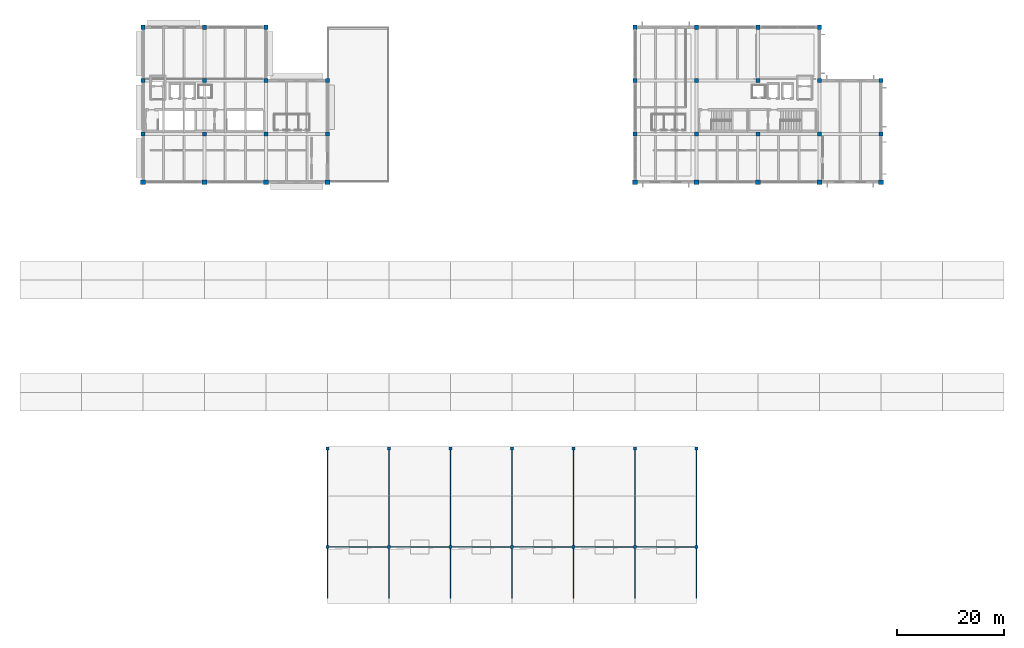
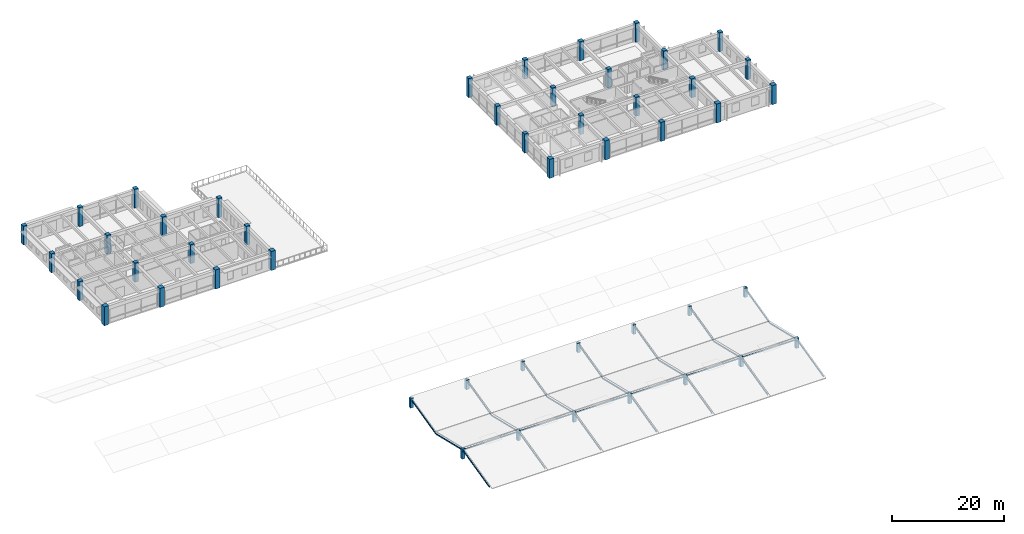
# One storey, part 1 of 33: 48 columns, 27 members.
"""IFC4 building model written with IfcOpenShell, lengths in metres."""

from ifc_helpers import new_model, si_unit, direction, frame, origin, origin_2d, place, context, subcontext, project, spatial, rectangle, hollow_rectangle, extrude, material, material_profile, profile_set, type_object, element, save


model = new_model("IFC4")

# Units and contexts
model_context = context("Model", 3, precision=1e-05, world=origin(), true_north=direction((0.0, 1.0)))
body_context = subcontext(model_context, "Body", "Model", "MODEL_VIEW")
ifc_project = project(units=[si_unit("LENGTHUNIT", "METRE"), si_unit("AREAUNIT", "SQUARE_METRE"), si_unit("VOLUMEUNIT", "CUBIC_METRE"), si_unit("PLANEANGLEUNIT", "RADIAN"), si_unit("MASSUNIT", "GRAM", prefix="KILO")], contexts=[model_context])

# Site, building, storey
site_placement = place(None, origin())
site = spatial("IfcSite", under=ifc_project, at=site_placement, CompositionType="ELEMENT")
building_placement = place(site_placement, origin())
building = spatial("IfcBuilding", under=site, at=building_placement, Name="Ologun Quay Terminus", CompositionType="ELEMENT")
storey_placement = place(building_placement, frame((0.0, 0.0, 18.300048828125)))
storey = spatial("IfcBuildingStorey", under=building, at=storey_placement, Name="L04", CompositionType="ELEMENT", Elevation=18.300048828125)

# Columns
ifc_material_1 = material(Name="Concrete C45/55", Category="concrete")
ifc_material_profile_1 = material_profile(ifc_material_1, rectangle(XDim=0.89990234375, YDim=0.89990234375, at=origin_2d()), Name="RC 900x900")
ifc_profile_set_1 = profile_set([ifc_material_profile_1], Name="Concrete C45/55")
column_type_1 = type_object("IfcColumnType", Name="Courtyard Wing Mid Column 900x900", PredefinedType="COLUMN", material=ifc_profile_set_1)
for number, where, z_axis, x_axis, name in (
    (1, (23.0, 85.800048828125, 0.0), (0.0, 0.0, 1.0), (1.0, 0.0, 0.0), "C3 Column 3/G2 L04"),
    (2, (34.5, 85.800048828125, 0.0), (0.0, 0.0, 1.0), (1.0, 0.0, 0.0), "C3 Column 4/G2 L04"),
    (3, (46.0, 85.800048828125, 0.0), (0.0, 0.0, 1.0), (1.0, 0.0, 0.0), "C3 Column 5/G2 L04"),
    (4, (57.5, 85.800048828125, 0.0), (0.0, 0.0, 1.0), (1.0, 0.0, 0.0), "C3 Column 6/G2 L04"),
    (5, (115.0, 85.800048828125, 0.0), (0.0, 0.0, 1.0), (1.0, 0.0, 0.0), "C3 Column 11/G2 L04"),
    (6, (126.5, 85.800048828125, 0.0), (0.0, 0.0, 1.0), (1.0, 0.0, 0.0), "C3 Column 12/G2 L04"),
    (7, (138.0, 85.800048828125, 0.0), (0.0, 0.0, 1.0), (1.0, 0.0, 0.0), "C3 Column 13/G2 L04"),
    (8, (149.5, 85.800048828125, 0.0), (0.0, 0.0, 1.0), (1.0, 0.0, 0.0), "C3 Column 14/G2 L04"),
    (9, (161.0, 85.800048828125, 0.0), (0.0, 0.0, 1.0), (1.0, 0.0, 0.0), "C3 Column 15/G2 L04"),
):
    element("IfcColumn", number, at=place(storey_placement, frame(where, z_axis=z_axis, x_axis=x_axis)), inside=storey, type_object=column_type_1, Name=name, PredefinedType="COLUMN", context=body_context, shape_type="SweptSolid", body=[
        extrude(rectangle(XDim=0.89990234375, YDim=0.89990234375, at=origin_2d()), origin(), (0.0, 0.0, 1.0), 4.159912109375),
    ])
ifc_material_2 = material(Name="Concrete C40/50", Category="concrete")
ifc_material_profile_2 = material_profile(ifc_material_2, rectangle(XDim=0.800048828125, YDim=0.800048828125, at=origin_2d()), Name="RC 800x800")
ifc_profile_set_2 = profile_set([ifc_material_profile_2], Name="Concrete C40/50")
column_type_2 = type_object("IfcColumnType", Name="Courtyard Wing Upper Column 800x800", PredefinedType="COLUMN", material=ifc_profile_set_2)
for number, where, z_axis, x_axis, name in (
    (10, (23.0, 94.800048828125, 0.0), (0.0, 0.0, 1.0), (1.0, 0.0, 0.0), "C4 Column 3/H L04"),
    (11, (23.0, 104.800048828125, 0.0), (0.0, 0.0, 1.0), (1.0, 0.0, 0.0), "C4 Column 3/J L04"),
    (12, (23.0, 114.800048828125, 0.0), (0.0, 0.0, 1.0), (1.0, 0.0, 0.0), "C4 Column 3/K L04"),
    (13, (34.5, 94.800048828125, 0.0), (0.0, 0.0, 1.0), (1.0, 0.0, 0.0), "C4 Column 4/H L04"),
    (14, (34.5, 104.800048828125, 0.0), (0.0, 0.0, 1.0), (1.0, 0.0, 0.0), "C4 Column 4/J L04"),
    (15, (34.5, 114.800048828125, 0.0), (0.0, 0.0, 1.0), (1.0, 0.0, 0.0), "C4 Column 4/K L04"),
    (16, (46.0, 94.800048828125, 0.0), (0.0, 0.0, 1.0), (1.0, 0.0, 0.0), "C4 Column 5/H L04"),
    (17, (46.0, 104.800048828125, 0.0), (0.0, 0.0, 1.0), (1.0, 0.0, 0.0), "C4 Column 5/J L04"),
    (18, (46.0, 114.800048828125, 0.0), (0.0, 0.0, 1.0), (1.0, 0.0, 0.0), "C4 Column 5/K L04"),
    (19, (57.5, 94.800048828125, 0.0), (0.0, 0.0, 1.0), (1.0, 0.0, 0.0), "C4 Column 6/H L04"),
    (20, (57.5, 104.800048828125, 0.0), (0.0, 0.0, 1.0), (1.0, 0.0, 0.0), "C4 Column 6/J L04"),
    (21, (115.0, 94.800048828125, 0.0), (0.0, 0.0, 1.0), (1.0, 0.0, 0.0), "C4 Column 11/H L04"),
    (22, (115.0, 104.800048828125, 0.0), (0.0, 0.0, 1.0), (1.0, 0.0, 0.0), "C4 Column 11/J L04"),
    (23, (115.0, 114.800048828125, 0.0), (0.0, 0.0, 1.0), (1.0, 0.0, 0.0), "C4 Column 11/K L04"),
    (24, (126.5, 94.800048828125, 0.0), (0.0, 0.0, 1.0), (1.0, 0.0, 0.0), "C4 Column 12/H L04"),
    (25, (126.5, 104.800048828125, 0.0), (0.0, 0.0, 1.0), (1.0, 0.0, 0.0), "C4 Column 12/J L04"),
    (26, (126.5, 114.800048828125, 0.0), (0.0, 0.0, 1.0), (1.0, 0.0, 0.0), "C4 Column 12/K L04"),
    (27, (138.0, 94.800048828125, 0.0), (0.0, 0.0, 1.0), (1.0, 0.0, 0.0), "C4 Column 13/H L04"),
    (28, (138.0, 104.800048828125, 0.0), (0.0, 0.0, 1.0), (1.0, 0.0, 0.0), "C4 Column 13/J L04"),
    (29, (138.0, 114.800048828125, 0.0), (0.0, 0.0, 1.0), (1.0, 0.0, 0.0), "C4 Column 13/K L04"),
    (30, (149.5, 94.800048828125, 0.0), (0.0, 0.0, 1.0), (1.0, 0.0, 0.0), "C4 Column 14/H L04"),
    (31, (149.5, 104.800048828125, 0.0), (0.0, 0.0, 1.0), (1.0, 0.0, 0.0), "C4 Column 14/J L04"),
    (32, (149.5, 114.800048828125, 0.0), (0.0, 0.0, 1.0), (1.0, 0.0, 0.0), "C4 Column 14/K L04"),
    (33, (161.0, 94.800048828125, 0.0), (0.0, 0.0, 1.0), (1.0, 0.0, 0.0), "C4 Column 15/H L04"),
    (34, (161.0, 104.800048828125, 0.0), (0.0, 0.0, 1.0), (1.0, 0.0, 0.0), "C4 Column 15/J L04"),
):
    element("IfcColumn", number, at=place(storey_placement, frame(where, z_axis=z_axis, x_axis=x_axis)), inside=storey, type_object=column_type_2, Name=name, PredefinedType="COLUMN", context=body_context, shape_type="SweptSolid", body=[
        extrude(rectangle(XDim=0.800048828125, YDim=0.800048828125, at=origin_2d()), origin(), (0.0, 0.0, 1.0), 4.159912109375),
    ])
ifc_material_3 = material(Name="Concrete C40/50", Category="concrete")
ifc_material_profile_3 = material_profile(ifc_material_3, rectangle(XDim=0.60009765625, YDim=0.60009765625, at=origin_2d()), Name="RC 600x600")
ifc_profile_set_3 = profile_set([ifc_material_profile_3], Name="Concrete C40/50")
column_type_3 = type_object("IfcColumnType", Name="Podium Retail Column 600x600", PredefinedType="COLUMN", material=ifc_profile_set_3)
column_1_placement = place(storey_placement, frame((57.5, 17.60009765625, 0.0), z_axis=(0.0, 0.0, 1.0), x_axis=(1.0, 0.0, 0.0)))
element("IfcColumn", 35, at=column_1_placement, inside=storey, type_object=column_type_3, Name="C7 Roof Ridge Stub L04-SPAV-6-BCB", PredefinedType="COLUMN", context=body_context, shape_type="SweptSolid", body=[
    extrude(rectangle(XDim=0.60009765625, YDim=0.60009765625, at=origin_2d()), origin(), (0.0, 0.0, 1.0), 2.179931640625),
])
column_2_placement = place(storey_placement, frame((57.5, 36.0, 0.0), z_axis=(0.0, 0.0, 1.0), x_axis=(1.0, 0.0, 0.0)))
element("IfcColumn", 36, at=column_2_placement, inside=storey, type_object=column_type_3, Name="C7 Roof Ridge Stub L04-SPAV-6-DEB", PredefinedType="COLUMN", context=body_context, shape_type="SweptSolid", body=[
    extrude(rectangle(XDim=0.60009765625, YDim=0.60009765625, at=origin_2d()), origin(), (0.0, 0.0, 1.0), 2.030029296875),
])
column_3_placement = place(storey_placement, frame((69.0, 17.60009765625, 0.0), z_axis=(0.0, 0.0, 1.0), x_axis=(1.0, 0.0, 0.0)))
element("IfcColumn", 37, at=column_3_placement, inside=storey, type_object=column_type_3, Name="C7 Roof Ridge Stub L04-SPAV-7-BCB", PredefinedType="COLUMN", context=body_context, shape_type="SweptSolid", body=[
    extrude(rectangle(XDim=0.60009765625, YDim=0.60009765625, at=origin_2d()), origin(), (0.0, 0.0, 1.0), 2.179931640625),
])
column_4_placement = place(storey_placement, frame((69.0, 36.0, 0.0), z_axis=(0.0, 0.0, 1.0), x_axis=(1.0, 0.0, 0.0)))
element("IfcColumn", 38, at=column_4_placement, inside=storey, type_object=column_type_3, Name="C7 Roof Ridge Stub L04-SPAV-7-DEB", PredefinedType="COLUMN", context=body_context, shape_type="SweptSolid", body=[
    extrude(rectangle(XDim=0.60009765625, YDim=0.60009765625, at=origin_2d()), origin(), (0.0, 0.0, 1.0), 2.030029296875),
])
column_5_placement = place(storey_placement, frame((80.5, 17.60009765625, 0.0), z_axis=(0.0, 0.0, 1.0), x_axis=(1.0, 0.0, 0.0)))
element("IfcColumn", 39, at=column_5_placement, inside=storey, type_object=column_type_3, Name="C7 Roof Ridge Stub L04-SPAV-8-BCB", PredefinedType="COLUMN", context=body_context, shape_type="SweptSolid", body=[
    extrude(rectangle(XDim=0.60009765625, YDim=0.60009765625, at=origin_2d()), origin(), (0.0, 0.0, 1.0), 2.179931640625),
])
column_6_placement = place(storey_placement, frame((80.5, 36.0, 0.0), z_axis=(0.0, 0.0, 1.0), x_axis=(1.0, 0.0, 0.0)))
element("IfcColumn", 40, at=column_6_placement, inside=storey, type_object=column_type_3, Name="C7 Roof Ridge Stub L04-SPAV-8-DEB", PredefinedType="COLUMN", context=body_context, shape_type="SweptSolid", body=[
    extrude(rectangle(XDim=0.60009765625, YDim=0.60009765625, at=origin_2d()), origin(), (0.0, 0.0, 1.0), 2.030029296875),
])
column_7_placement = place(storey_placement, frame((92.0, 17.60009765625, 0.0), z_axis=(0.0, 0.0, 1.0), x_axis=(1.0, 0.0, 0.0)))
element("IfcColumn", 41, at=column_7_placement, inside=storey, type_object=column_type_3, Name="C7 Roof Ridge Stub L04-SPAV-9-BCB", PredefinedType="COLUMN", context=body_context, shape_type="SweptSolid", body=[
    extrude(rectangle(XDim=0.60009765625, YDim=0.60009765625, at=origin_2d()), origin(), (0.0, 0.0, 1.0), 2.179931640625),
])
column_8_placement = place(storey_placement, frame((92.0, 36.0, 0.0), z_axis=(0.0, 0.0, 1.0), x_axis=(1.0, 0.0, 0.0)))
element("IfcColumn", 42, at=column_8_placement, inside=storey, type_object=column_type_3, Name="C7 Roof Ridge Stub L04-SPAV-9-DEB", PredefinedType="COLUMN", context=body_context, shape_type="SweptSolid", body=[
    extrude(rectangle(XDim=0.60009765625, YDim=0.60009765625, at=origin_2d()), origin(), (0.0, 0.0, 1.0), 2.030029296875),
])
column_9_placement = place(storey_placement, frame((103.5, 17.60009765625, 0.0), z_axis=(0.0, 0.0, 1.0), x_axis=(1.0, 0.0, 0.0)))
element("IfcColumn", 43, at=column_9_placement, inside=storey, type_object=column_type_3, Name="C7 Roof Ridge Stub L04-SPAV-10-BCB", PredefinedType="COLUMN", context=body_context, shape_type="SweptSolid", body=[
    extrude(rectangle(XDim=0.60009765625, YDim=0.60009765625, at=origin_2d()), origin(), (0.0, 0.0, 1.0), 2.179931640625),
])
column_10_placement = place(storey_placement, frame((103.5, 36.0, 0.0), z_axis=(0.0, 0.0, 1.0), x_axis=(1.0, 0.0, 0.0)))
element("IfcColumn", 44, at=column_10_placement, inside=storey, type_object=column_type_3, Name="C7 Roof Ridge Stub L04-SPAV-10-DEB", PredefinedType="COLUMN", context=body_context, shape_type="SweptSolid", body=[
    extrude(rectangle(XDim=0.60009765625, YDim=0.60009765625, at=origin_2d()), origin(), (0.0, 0.0, 1.0), 2.030029296875),
])
column_11_placement = place(storey_placement, frame((115.0, 17.60009765625, 0.0), z_axis=(0.0, 0.0, 1.0), x_axis=(1.0, 0.0, 0.0)))
element("IfcColumn", 45, at=column_11_placement, inside=storey, type_object=column_type_3, Name="C7 Roof Ridge Stub L04-SPAV-11-BCB", PredefinedType="COLUMN", context=body_context, shape_type="SweptSolid", body=[
    extrude(rectangle(XDim=0.60009765625, YDim=0.60009765625, at=origin_2d()), origin(), (0.0, 0.0, 1.0), 2.179931640625),
])
column_12_placement = place(storey_placement, frame((115.0, 36.0, 0.0), z_axis=(0.0, 0.0, 1.0), x_axis=(1.0, 0.0, 0.0)))
element("IfcColumn", 46, at=column_12_placement, inside=storey, type_object=column_type_3, Name="C7 Roof Ridge Stub L04-SPAV-11-DEB", PredefinedType="COLUMN", context=body_context, shape_type="SweptSolid", body=[
    extrude(rectangle(XDim=0.60009765625, YDim=0.60009765625, at=origin_2d()), origin(), (0.0, 0.0, 1.0), 2.030029296875),
])
column_13_placement = place(storey_placement, frame((126.5, 17.60009765625, 0.0), z_axis=(0.0, 0.0, 1.0), x_axis=(1.0, 0.0, 0.0)))
element("IfcColumn", 47, at=column_13_placement, inside=storey, type_object=column_type_3, Name="C7 Roof Ridge Stub L04-SPAV-12-BCB", PredefinedType="COLUMN", context=body_context, shape_type="SweptSolid", body=[
    extrude(rectangle(XDim=0.60009765625, YDim=0.60009765625, at=origin_2d()), origin(), (0.0, 0.0, 1.0), 2.179931640625),
])
column_14_placement = place(storey_placement, frame((126.5, 36.0, 0.0), z_axis=(0.0, 0.0, 1.0), x_axis=(1.0, 0.0, 0.0)))
element("IfcColumn", 48, at=column_14_placement, inside=storey, type_object=column_type_3, Name="C7 Roof Ridge Stub L04-SPAV-12-DEB", PredefinedType="COLUMN", context=body_context, shape_type="SweptSolid", body=[
    extrude(rectangle(XDim=0.60009765625, YDim=0.60009765625, at=origin_2d()), origin(), (0.0, 0.0, 1.0), 2.030029296875),
])

# Members
ifc_material_4 = material(Name="Steel S355", Category="steel")
ifc_material_profile_4 = material_profile(ifc_material_4, hollow_rectangle(XDim=0.14990234375, YDim=0.25, WallThickness=0.008056640625, at=origin_2d()), Name="RHS 250x150x8")
ifc_profile_set_4 = profile_set([ifc_material_profile_4], Name="Steel S355")
member_type = type_object("IfcMemberType", Name="Skylight Longitudinal Glazing Bar RHS200", PredefinedType="PURLIN", material=ifc_profile_set_4)
member_1_placement = place(storey_placement, frame((57.5, 8.0, -0.522216796875), z_axis=(0.0, 0.972478594308, 0.232992239382), x_axis=(-1.0, 0.0, 0.0)))
element("IfcMember", 49, at=member_1_placement, inside=storey, type_object=member_type, Name="SK1 Inclined Roof Rafter L04-SPAV-6-BC", PredefinedType="PURLIN", context=body_context, shape_type="SweptSolid", body=[
    extrude(hollow_rectangle(XDim=0.14990234375, YDim=0.25, WallThickness=0.008056640625, at=origin_2d()), origin(), (0.0, 0.0, 1.0), 9.871826171875),
])
member_2_placement = place(storey_placement, frame((57.5, 17.60009765625, 1.77783203125), z_axis=(0.0, 0.972477251719, -0.232997843098), x_axis=(-1.0, 0.0, 0.0)))
element("IfcMember", 50, at=member_2_placement, inside=storey, type_object=member_type, Name="SK1 Inclined Roof Rafter L04-SPAV-6-CD", PredefinedType="PURLIN", context=body_context, shape_type="SweptSolid", body=[
    extrude(hollow_rectangle(XDim=0.14990234375, YDim=0.25, WallThickness=0.008056640625, at=origin_2d()), origin(), (0.0, 0.0, 1.0), 9.87158203125),
])
member_3_placement = place(storey_placement, frame((57.5, 27.199951171875, -0.5224609375), z_axis=(0.0, 0.971430080393, 0.237325933914), x_axis=(-1.0, 0.0, 0.0)))
element("IfcMember", 51, at=member_3_placement, inside=storey, type_object=member_type, Name="SK1 Inclined Roof Rafter L04-SPAV-6-DE", PredefinedType="PURLIN", context=body_context, shape_type="SweptSolid", body=[
    extrude(hollow_rectangle(XDim=0.14990234375, YDim=0.25, WallThickness=0.008056640625, at=origin_2d()), origin(), (0.0, 0.0, 1.0), 9.058837890625),
])
member_4_placement = place(storey_placement, frame((57.5, 17.60009765625, 1.780029296875), z_axis=(1.0, 0.0, 0.0), x_axis=(0.0, 1.0, 0.0)))
element("IfcMember", 52, at=member_4_placement, inside=storey, type_object=member_type, Name="SK1 Pavilion Ridge Purlin 1", PredefinedType="PURLIN", context=body_context, shape_type="SweptSolid", body=[
    extrude(hollow_rectangle(XDim=0.14990234375, YDim=0.25, WallThickness=0.008056640625, at=origin_2d()), origin(), (0.0, 0.0, 1.0), 11.5),
])
member_5_placement = place(storey_placement, frame((69.0, 8.0, -0.522216796875), z_axis=(0.0, 0.972478594308, 0.232992239382), x_axis=(-1.0, 0.0, 0.0)))
element("IfcMember", 53, at=member_5_placement, inside=storey, type_object=member_type, Name="SK1 Inclined Roof Rafter L04-SPAV-7-BC", PredefinedType="PURLIN", context=body_context, shape_type="SweptSolid", body=[
    extrude(hollow_rectangle(XDim=0.14990234375, YDim=0.25, WallThickness=0.008056640625, at=origin_2d()), origin(), (0.0, 0.0, 1.0), 9.871826171875),
])
member_6_placement = place(storey_placement, frame((69.0, 17.60009765625, 1.77783203125), z_axis=(0.0, 0.972477251719, -0.232997843098), x_axis=(-1.0, 0.0, 0.0)))
element("IfcMember", 54, at=member_6_placement, inside=storey, type_object=member_type, Name="SK1 Inclined Roof Rafter L04-SPAV-7-CD", PredefinedType="PURLIN", context=body_context, shape_type="SweptSolid", body=[
    extrude(hollow_rectangle(XDim=0.14990234375, YDim=0.25, WallThickness=0.008056640625, at=origin_2d()), origin(), (0.0, 0.0, 1.0), 9.87158203125),
])
member_7_placement = place(storey_placement, frame((69.0, 27.199951171875, -0.5224609375), z_axis=(0.0, 0.971430080393, 0.237325933914), x_axis=(-1.0, 0.0, 0.0)))
element("IfcMember", 55, at=member_7_placement, inside=storey, type_object=member_type, Name="SK1 Inclined Roof Rafter L04-SPAV-7-DE", PredefinedType="PURLIN", context=body_context, shape_type="SweptSolid", body=[
    extrude(hollow_rectangle(XDim=0.14990234375, YDim=0.25, WallThickness=0.008056640625, at=origin_2d()), origin(), (0.0, 0.0, 1.0), 9.058837890625),
])
member_8_placement = place(storey_placement, frame((69.0, 17.60009765625, 1.780029296875), z_axis=(1.0, 0.0, 0.0), x_axis=(0.0, 1.0, 0.0)))
element("IfcMember", 56, at=member_8_placement, inside=storey, type_object=member_type, Name="SK1 Pavilion Ridge Purlin 2", PredefinedType="PURLIN", context=body_context, shape_type="SweptSolid", body=[
    extrude(hollow_rectangle(XDim=0.14990234375, YDim=0.25, WallThickness=0.008056640625, at=origin_2d()), origin(), (0.0, 0.0, 1.0), 11.5),
])
member_9_placement = place(storey_placement, frame((80.5, 8.0, -0.522216796875), z_axis=(0.0, 0.972478594308, 0.232992239382), x_axis=(-1.0, 0.0, 0.0)))
element("IfcMember", 57, at=member_9_placement, inside=storey, type_object=member_type, Name="SK1 Inclined Roof Rafter L04-SPAV-8-BC", PredefinedType="PURLIN", context=body_context, shape_type="SweptSolid", body=[
    extrude(hollow_rectangle(XDim=0.14990234375, YDim=0.25, WallThickness=0.008056640625, at=origin_2d()), origin(), (0.0, 0.0, 1.0), 9.871826171875),
])
member_10_placement = place(storey_placement, frame((80.5, 17.60009765625, 1.77783203125), z_axis=(0.0, 0.972477251719, -0.232997843098), x_axis=(-1.0, 0.0, 0.0)))
element("IfcMember", 58, at=member_10_placement, inside=storey, type_object=member_type, Name="SK1 Inclined Roof Rafter L04-SPAV-8-CD", PredefinedType="PURLIN", context=body_context, shape_type="SweptSolid", body=[
    extrude(hollow_rectangle(XDim=0.14990234375, YDim=0.25, WallThickness=0.008056640625, at=origin_2d()), origin(), (0.0, 0.0, 1.0), 9.87158203125),
])
member_11_placement = place(storey_placement, frame((80.5, 27.199951171875, -0.5224609375), z_axis=(0.0, 0.971430080393, 0.237325933914), x_axis=(-1.0, 0.0, 0.0)))
element("IfcMember", 59, at=member_11_placement, inside=storey, type_object=member_type, Name="SK1 Inclined Roof Rafter L04-SPAV-8-DE", PredefinedType="PURLIN", context=body_context, shape_type="SweptSolid", body=[
    extrude(hollow_rectangle(XDim=0.14990234375, YDim=0.25, WallThickness=0.008056640625, at=origin_2d()), origin(), (0.0, 0.0, 1.0), 9.058837890625),
])
member_12_placement = place(storey_placement, frame((80.5, 17.60009765625, 1.780029296875), z_axis=(1.0, 0.0, 0.0), x_axis=(0.0, 1.0, 0.0)))
element("IfcMember", 60, at=member_12_placement, inside=storey, type_object=member_type, Name="SK1 Pavilion Ridge Purlin 3", PredefinedType="PURLIN", context=body_context, shape_type="SweptSolid", body=[
    extrude(hollow_rectangle(XDim=0.14990234375, YDim=0.25, WallThickness=0.008056640625, at=origin_2d()), origin(), (0.0, 0.0, 1.0), 11.5),
])
member_13_placement = place(storey_placement, frame((92.0, 8.0, -0.522216796875), z_axis=(0.0, 0.972478594308, 0.232992239382), x_axis=(-1.0, 0.0, 0.0)))
element("IfcMember", 61, at=member_13_placement, inside=storey, type_object=member_type, Name="SK1 Inclined Roof Rafter L04-SPAV-9-BC", PredefinedType="PURLIN", context=body_context, shape_type="SweptSolid", body=[
    extrude(hollow_rectangle(XDim=0.14990234375, YDim=0.25, WallThickness=0.008056640625, at=origin_2d()), origin(), (0.0, 0.0, 1.0), 9.871826171875),
])
member_14_placement = place(storey_placement, frame((92.0, 17.60009765625, 1.77783203125), z_axis=(0.0, 0.972477251719, -0.232997843098), x_axis=(-1.0, 0.0, 0.0)))
element("IfcMember", 62, at=member_14_placement, inside=storey, type_object=member_type, Name="SK1 Inclined Roof Rafter L04-SPAV-9-CD", PredefinedType="PURLIN", context=body_context, shape_type="SweptSolid", body=[
    extrude(hollow_rectangle(XDim=0.14990234375, YDim=0.25, WallThickness=0.008056640625, at=origin_2d()), origin(), (0.0, 0.0, 1.0), 9.87158203125),
])
member_15_placement = place(storey_placement, frame((92.0, 27.199951171875, -0.5224609375), z_axis=(0.0, 0.971430080393, 0.237325933914), x_axis=(-1.0, 0.0, 0.0)))
element("IfcMember", 63, at=member_15_placement, inside=storey, type_object=member_type, Name="SK1 Inclined Roof Rafter L04-SPAV-9-DE", PredefinedType="PURLIN", context=body_context, shape_type="SweptSolid", body=[
    extrude(hollow_rectangle(XDim=0.14990234375, YDim=0.25, WallThickness=0.008056640625, at=origin_2d()), origin(), (0.0, 0.0, 1.0), 9.058837890625),
])
member_16_placement = place(storey_placement, frame((92.0, 17.60009765625, 1.780029296875), z_axis=(1.0, 0.0, 0.0), x_axis=(0.0, 1.0, 0.0)))
element("IfcMember", 64, at=member_16_placement, inside=storey, type_object=member_type, Name="SK1 Pavilion Ridge Purlin 4", PredefinedType="PURLIN", context=body_context, shape_type="SweptSolid", body=[
    extrude(hollow_rectangle(XDim=0.14990234375, YDim=0.25, WallThickness=0.008056640625, at=origin_2d()), origin(), (0.0, 0.0, 1.0), 11.5),
])
member_17_placement = place(storey_placement, frame((103.5, 8.0, -0.522216796875), z_axis=(0.0, 0.972478594308, 0.232992239382), x_axis=(-1.0, 0.0, 0.0)))
element("IfcMember", 65, at=member_17_placement, inside=storey, type_object=member_type, Name="SK1 Inclined Roof Rafter L04-SPAV-10-BC", PredefinedType="PURLIN", context=body_context, shape_type="SweptSolid", body=[
    extrude(hollow_rectangle(XDim=0.14990234375, YDim=0.25, WallThickness=0.008056640625, at=origin_2d()), origin(), (0.0, 0.0, 1.0), 9.871826171875),
])
member_18_placement = place(storey_placement, frame((103.5, 17.60009765625, 1.77783203125), z_axis=(0.0, 0.972477251719, -0.232997843098), x_axis=(-1.0, 0.0, 0.0)))
element("IfcMember", 66, at=member_18_placement, inside=storey, type_object=member_type, Name="SK1 Inclined Roof Rafter L04-SPAV-10-CD", PredefinedType="PURLIN", context=body_context, shape_type="SweptSolid", body=[
    extrude(hollow_rectangle(XDim=0.14990234375, YDim=0.25, WallThickness=0.008056640625, at=origin_2d()), origin(), (0.0, 0.0, 1.0), 9.87158203125),
])
member_19_placement = place(storey_placement, frame((103.5, 27.199951171875, -0.5224609375), z_axis=(0.0, 0.971430080393, 0.237325933914), x_axis=(-1.0, 0.0, 0.0)))
element("IfcMember", 67, at=member_19_placement, inside=storey, type_object=member_type, Name="SK1 Inclined Roof Rafter L04-SPAV-10-DE", PredefinedType="PURLIN", context=body_context, shape_type="SweptSolid", body=[
    extrude(hollow_rectangle(XDim=0.14990234375, YDim=0.25, WallThickness=0.008056640625, at=origin_2d()), origin(), (0.0, 0.0, 1.0), 9.058837890625),
])
member_20_placement = place(storey_placement, frame((103.5, 17.60009765625, 1.780029296875), z_axis=(1.0, 0.0, 0.0), x_axis=(0.0, 1.0, 0.0)))
element("IfcMember", 68, at=member_20_placement, inside=storey, type_object=member_type, Name="SK1 Pavilion Ridge Purlin 5", PredefinedType="PURLIN", context=body_context, shape_type="SweptSolid", body=[
    extrude(hollow_rectangle(XDim=0.14990234375, YDim=0.25, WallThickness=0.008056640625, at=origin_2d()), origin(), (0.0, 0.0, 1.0), 11.5),
])
member_21_placement = place(storey_placement, frame((115.0, 8.0, -0.522216796875), z_axis=(0.0, 0.972478594308, 0.232992239382), x_axis=(-1.0, 0.0, 0.0)))
element("IfcMember", 69, at=member_21_placement, inside=storey, type_object=member_type, Name="SK1 Inclined Roof Rafter L04-SPAV-11-BC", PredefinedType="PURLIN", context=body_context, shape_type="SweptSolid", body=[
    extrude(hollow_rectangle(XDim=0.14990234375, YDim=0.25, WallThickness=0.008056640625, at=origin_2d()), origin(), (0.0, 0.0, 1.0), 9.871826171875),
])
member_22_placement = place(storey_placement, frame((115.0, 17.60009765625, 1.77783203125), z_axis=(0.0, 0.972477251719, -0.232997843098), x_axis=(-1.0, 0.0, 0.0)))
element("IfcMember", 70, at=member_22_placement, inside=storey, type_object=member_type, Name="SK1 Inclined Roof Rafter L04-SPAV-11-CD", PredefinedType="PURLIN", context=body_context, shape_type="SweptSolid", body=[
    extrude(hollow_rectangle(XDim=0.14990234375, YDim=0.25, WallThickness=0.008056640625, at=origin_2d()), origin(), (0.0, 0.0, 1.0), 9.87158203125),
])
member_23_placement = place(storey_placement, frame((115.0, 27.199951171875, -0.5224609375), z_axis=(0.0, 0.971430080393, 0.237325933914), x_axis=(-1.0, 0.0, 0.0)))
element("IfcMember", 71, at=member_23_placement, inside=storey, type_object=member_type, Name="SK1 Inclined Roof Rafter L04-SPAV-11-DE", PredefinedType="PURLIN", context=body_context, shape_type="SweptSolid", body=[
    extrude(hollow_rectangle(XDim=0.14990234375, YDim=0.25, WallThickness=0.008056640625, at=origin_2d()), origin(), (0.0, 0.0, 1.0), 9.058837890625),
])
member_24_placement = place(storey_placement, frame((115.0, 17.60009765625, 1.780029296875), z_axis=(1.0, 0.0, 0.0), x_axis=(0.0, 1.0, 0.0)))
element("IfcMember", 72, at=member_24_placement, inside=storey, type_object=member_type, Name="SK1 Pavilion Ridge Purlin 6", PredefinedType="PURLIN", context=body_context, shape_type="SweptSolid", body=[
    extrude(hollow_rectangle(XDim=0.14990234375, YDim=0.25, WallThickness=0.008056640625, at=origin_2d()), origin(), (0.0, 0.0, 1.0), 11.5),
])
member_25_placement = place(storey_placement, frame((126.5, 8.0, -0.522216796875), z_axis=(0.0, 0.972478594308, 0.232992239382), x_axis=(-1.0, 0.0, 0.0)))
element("IfcMember", 73, at=member_25_placement, inside=storey, type_object=member_type, Name="SK1 Inclined Roof Rafter L04-SPAV-12-BC", PredefinedType="PURLIN", context=body_context, shape_type="SweptSolid", body=[
    extrude(hollow_rectangle(XDim=0.14990234375, YDim=0.25, WallThickness=0.008056640625, at=origin_2d()), origin(), (0.0, 0.0, 1.0), 9.871826171875),
])
member_26_placement = place(storey_placement, frame((126.5, 17.60009765625, 1.77783203125), z_axis=(0.0, 0.972477251719, -0.232997843098), x_axis=(-1.0, 0.0, 0.0)))
element("IfcMember", 74, at=member_26_placement, inside=storey, type_object=member_type, Name="SK1 Inclined Roof Rafter L04-SPAV-12-CD", PredefinedType="PURLIN", context=body_context, shape_type="SweptSolid", body=[
    extrude(hollow_rectangle(XDim=0.14990234375, YDim=0.25, WallThickness=0.008056640625, at=origin_2d()), origin(), (0.0, 0.0, 1.0), 9.87158203125),
])
member_27_placement = place(storey_placement, frame((126.5, 27.199951171875, -0.5224609375), z_axis=(0.0, 0.971430080393, 0.237325933914), x_axis=(-1.0, 0.0, 0.0)))
element("IfcMember", 75, at=member_27_placement, inside=storey, type_object=member_type, Name="SK1 Inclined Roof Rafter L04-SPAV-12-DE", PredefinedType="PURLIN", context=body_context, shape_type="SweptSolid", body=[
    extrude(hollow_rectangle(XDim=0.14990234375, YDim=0.25, WallThickness=0.008056640625, at=origin_2d()), origin(), (0.0, 0.0, 1.0), 9.058837890625),
])

save(model, "model.ifc")
